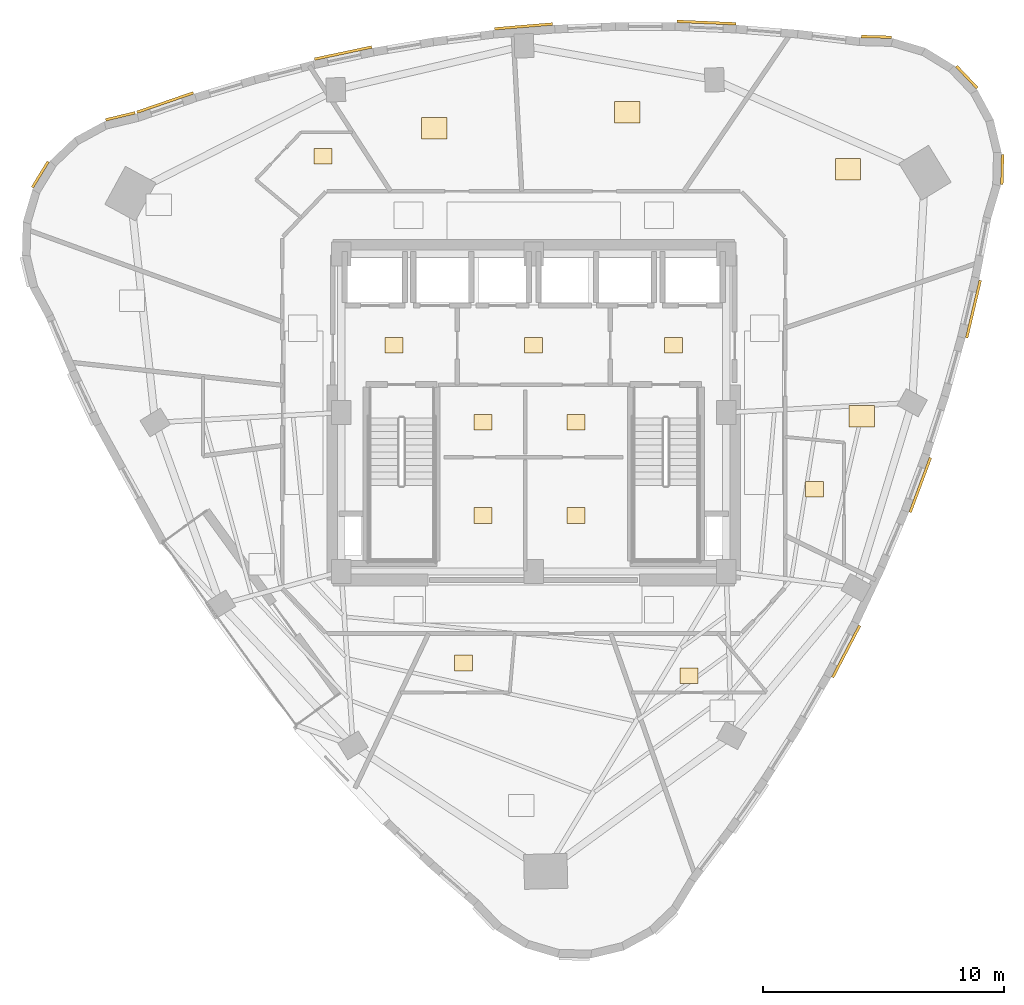
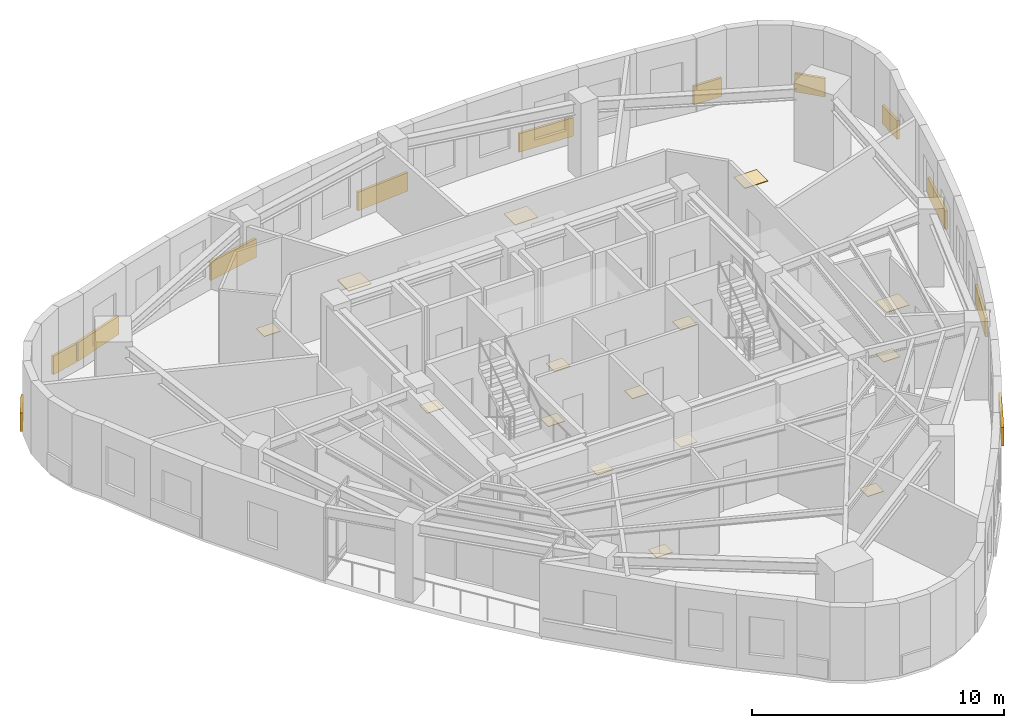
# One storey, part 12 of 12: 27 coverings.
"""IFC4 building model written with IfcOpenShell, lengths in metres."""

from ifc_helpers import new_model, si_unit, direction, frame, origin, origin_2d, place, context, subcontext, project, spatial, rectangle, extrude, material, layer, layer_set, type_object, element, save


model = new_model("IFC4")

# Units and contexts
model_context = context("Model", 3, precision=1e-05, world=origin(), true_north=direction((0.0, 1.0)))
body_context = subcontext(model_context, "Body", "Model", "MODEL_VIEW")
ifc_project = project(units=[si_unit("LENGTHUNIT", "METRE"), si_unit("AREAUNIT", "SQUARE_METRE"), si_unit("VOLUMEUNIT", "CUBIC_METRE"), si_unit("PLANEANGLEUNIT", "RADIAN"), si_unit("MASSUNIT", "GRAM", prefix="KILO")], contexts=[model_context])

# Site, building, storey
site_placement = place(None, origin())
site = spatial("IfcSite", under=ifc_project, at=site_placement, CompositionType="ELEMENT")
building_placement = place(site_placement, origin())
building = spatial("IfcBuilding", under=site, at=building_placement, Name="Ndelora Gate Hotel", CompositionType="ELEMENT")
storey_placement = place(building_placement, frame((0.0, 0.0, 232.14990234375)))
storey = spatial("IfcBuildingStorey", under=building, at=storey_placement, Name="L58", CompositionType="ELEMENT", Elevation=232.14990234375)

# Coverings
ifc_material_1 = material(Name="Terracotta Fired Clay Brick Slip Cladding", Category="masonry")
ifc_layer_1 = layer(ifc_material_1, 0.110107421875)
ifc_layer_set_1 = layer_set([ifc_layer_1], Name="Terracotta Fired Clay Brick Slip Cladding")
covering_type_1 = type_object("IfcCoveringType", Name="COV-CLAD-BRK", PredefinedType="CLADDING", material=ifc_layer_set_1)
for number, where, z_axis, x_axis, name in (
    (1, (-17.176025390625, 12.314208984375, 0.10009765625), (0.0, 0.0, 1.0), (0.972369920398, 0.233445363856, 0.0), "L58 Rounded-Corner Brick Cladding Band 1"),
    (2, (-20.503662109375, 9.896728515625, 0.10009765625), (0.0, 0.0, 1.0), (0.522498564716, 0.852640164354, 0.0), "L58 Rounded-Corner Brick Cladding Band 4"),
):
    element("IfcCovering", number, at=place(storey_placement, frame(where, z_axis=z_axis, x_axis=x_axis)), inside=storey, type_object=covering_type_1, Name=name, PredefinedType="CLADDING", context=body_context, shape_type="SweptSolid", body=[
        extrude(rectangle(XDim=1.257080078125, YDim=0.110107421875, at=origin_2d()), origin(), (0.0, 0.0, 1.0), 0.89990234375),
    ])
covering_1_placement = place(storey_placement, frame((12.9853515625, -9.9267578125, 0.10009765625), z_axis=(0.0, 0.0, 1.0), x_axis=(0.46329603512, 0.886203579231, 0.0)))
element("IfcCovering", 3, at=covering_1_placement, inside=storey, type_object=covering_type_1, Name="L58 Rounded-Corner Brick Cladding Band 31", PredefinedType="CLADDING", context=body_context, shape_type="SweptSolid", body=[
    extrude(rectangle(XDim=2.4208984375, YDim=0.110107421875, at=origin_2d()), origin(), (0.0, 0.0, 1.0), 0.89990234375),
])
covering_2_placement = place(storey_placement, frame((16.06591796875, -3.007568359375, 0.10009765625), z_axis=(0.0, 0.0, 1.0), x_axis=(0.348572047322, 0.937281989492, 0.0)))
element("IfcCovering", 4, at=covering_2_placement, inside=storey, type_object=covering_type_1, Name="L58 Rounded-Corner Brick Cladding Band 34", PredefinedType="CLADDING", context=body_context, shape_type="SweptSolid", body=[
    extrude(rectangle(XDim=2.419921875, YDim=0.110107421875, at=origin_2d()), origin(), (0.0, 0.0, 1.0), 0.89990234375),
])
covering_3_placement = place(storey_placement, frame((18.275390625, 4.298828125, 0.10009765625), z_axis=(0.0, 0.0, 1.0), x_axis=(0.230219585439, 0.973138706701, 0.0)))
element("IfcCovering", 5, at=covering_3_placement, inside=storey, type_object=covering_type_1, Name="L58 Rounded-Corner Brick Cladding Band 37", PredefinedType="CLADDING", context=body_context, shape_type="SweptSolid", body=[
    extrude(rectangle(XDim=2.4599609375, YDim=0.110107421875, at=origin_2d()), origin(), (0.0, 0.0, 1.0), 0.89990234375),
])
for number, where, z_axis, x_axis, name in (
    (6, (19.471923828125, 10.103515625, 0.10009765625), (0.0, 0.0, 1.0), (0.026176948308, 0.999657324976, 0.0), "L58 Rounded-Corner Brick Cladding Band 40"),
    (7, (17.997802734375, 13.943359375, 0.10009765625), (0.0, 0.0, 1.0), (-0.688354575694, 0.725374371012, 0.0), "L58 Rounded-Corner Brick Cladding Band 43"),
    (8, (14.240478515625, 15.6162109375, 0.10009765625), (0.0, 0.0, 1.0), (-0.999657324976, 0.026176948308, 0.0), "L58 Rounded-Corner Brick Cladding Band 46"),
):
    element("IfcCovering", number, at=place(storey_placement, frame(where, z_axis=z_axis, x_axis=x_axis)), inside=storey, type_object=covering_type_1, Name=name, PredefinedType="CLADDING", context=body_context, shape_type="SweptSolid", body=[
        extrude(rectangle(XDim=1.257080078125, YDim=0.110107421875, at=origin_2d()), origin(), (0.0, 0.0, 1.0), 0.89990234375),
    ])
covering_4_placement = place(storey_placement, frame((7.18115234375, 16.2099609375, 0.10009765625), z_axis=(0.0, 0.0, 1.0), x_axis=(-0.999151821338, 0.04117812426, 0.0)))
element("IfcCovering", 9, at=covering_4_placement, inside=storey, type_object=covering_type_1, Name="L58 Rounded-Corner Brick Cladding Band 49", PredefinedType="CLADDING", context=body_context, shape_type="SweptSolid", body=[
    extrude(rectangle(XDim=2.443115234375, YDim=0.110107421875, at=origin_2d()), origin(), (0.0, 0.0, 1.0), 0.89990234375),
])
covering_5_placement = place(storey_placement, frame((-0.417724609375, 16.050537109375, 0.10009765625), z_axis=(0.0, 0.0, 1.0), x_axis=(0.99649285925, 0.083677843332, 0.0)))
element("IfcCovering", 10, at=covering_5_placement, inside=storey, type_object=covering_type_1, Name="L58 Rounded-Corner Brick Cladding Band 52", PredefinedType="CLADDING", context=body_context, shape_type="SweptSolid", body=[
    extrude(rectangle(XDim=2.416015625, YDim=0.110107421875, at=origin_2d()), origin(), (0.0, 0.0, 1.0), 0.89990234375),
])
covering_6_placement = place(storey_placement, frame((-7.9169921875, 14.942626953125, 0.10009765625), z_axis=(0.0, 0.0, 1.0), x_axis=(0.978183873271, 0.20774096869, 0.0)))
element("IfcCovering", 11, at=covering_6_placement, inside=storey, type_object=covering_type_1, Name="L58 Rounded-Corner Brick Cladding Band 55", PredefinedType="CLADDING", context=body_context, shape_type="SweptSolid", body=[
    extrude(rectangle(XDim=2.428955078125, YDim=0.110107421875, at=origin_2d()), origin(), (0.0, 0.0, 1.0), 0.89990234375),
])
covering_7_placement = place(storey_placement, frame((-15.315673828125, 12.886962890625, 0.10009765625), z_axis=(0.0, 0.0, 1.0), x_axis=(0.945518575599, 0.325568154457, 0.0)))
element("IfcCovering", 12, at=covering_7_placement, inside=storey, type_object=covering_type_1, Name="L58 Rounded-Corner Brick Cladding Band 58", PredefinedType="CLADDING", context=body_context, shape_type="SweptSolid", body=[
    extrude(rectangle(XDim=2.48193359375, YDim=0.110107421875, at=origin_2d()), origin(), (0.0, 0.0, 1.0), 0.89990234375),
])
ifc_material_2 = material(Name="Engineered Highland Oak Parquet", Category="wood")
ifc_layer_2 = layer(ifc_material_2, 0.030029296875)
ifc_layer_set_2 = layer_set([ifc_layer_2], Name="Engineered Highland Oak Parquet")
covering_type_2 = type_object("IfcCoveringType", Name="COV-FLR-PARQ", PredefinedType="FLOORING", material=ifc_layer_set_2)
for number, where, z_axis, x_axis, name in (
    (13, (13.634033203125, -0.152099609375, 0.0), (0.0, 0.0, 1.0), (1.0, 0.0, 0.0), "L58 Grand Highland Diplomatic Suite 6103 Oak Parquet Flooring"),
    (14, (13.058349609375, 10.110107421875, 0.0), (0.0, 0.0, 1.0), (1.0, 0.0, 0.0), "L58 Highland Reading Library Oak Parquet Flooring"),
    (15, (3.888671875, 12.480712890625, 0.0), (0.0, 0.0, 1.0), (1.0, 0.0, 0.0), "L58 Altitude Fitness Gym Oak Parquet Flooring"),
    (16, (-4.13720703125, 11.8134765625, 0.0), (0.0, 0.0, 1.0), (1.0, 0.0, 0.0), "L58 Chef Service Kitchen Oak Parquet Flooring"),
):
    element("IfcCovering", number, at=place(storey_placement, frame(where, z_axis=z_axis, x_axis=x_axis)), inside=storey, type_object=covering_type_2, Name=name, PredefinedType="FLOORING", context=body_context, shape_type="SweptSolid", body=[
        extrude(rectangle(XDim=1.050048828125, YDim=0.89990234375, at=origin_2d()), origin(), (0.0, 0.0, 1.0), 0.030029296875),
    ])
ifc_material_3 = material(Name="Non-Slip Porcelain Wet-Room Tile", Category="ceramic")
ifc_layer_3 = layer(ifc_material_3, 0.02490234375)
ifc_layer_set_3 = layer_set([ifc_layer_3], Name="Non-Slip Porcelain Wet-Room Tile")
covering_type_3 = type_object("IfcCoveringType", Name="COV-FLR-TILE", PredefinedType="FLOORING", material=ifc_layer_set_3)
for number, where, z_axis, x_axis, name in (
    (17, (-5.800048828125, 2.800048828125, 0.000244140625), (0.0, 0.0, 1.0), (1.0, 0.0, 0.0), "L58 Firefighting Lift Lobby West Porcelain Tile Flooring"),
    (18, (5.800048828125, 2.800048828125, 0.000244140625), (0.0, 0.0, 1.0), (1.0, 0.0, 0.0), "L58 Firefighting Lift Lobby East Porcelain Tile Flooring"),
    (19, (0.0, 2.800048828125, 0.000244140625), (0.0, 0.0, 1.0), (1.0, 0.0, 0.0), "L58 Central Passenger Lift Lobby Porcelain Tile Flooring"),
    (20, (-2.10009765625, -0.39990234375, 0.000244140625), (0.0, 0.0, 1.0), (1.0, 0.0, 0.0), "L58 Core Electrical Closet Porcelain Tile Flooring"),
    (21, (1.75, -0.39990234375, 0.000244140625), (0.0, 0.0, 1.0), (1.0, 0.0, 0.0), "L58 Comms Patching Store Porcelain Tile Flooring"),
    (22, (-2.10009765625, -4.27490234375, 0.000244140625), (0.0, 0.0, 1.0), (1.0, 0.0, 0.0), "L58 Valet Laundry Store Porcelain Tile Flooring"),
    (23, (1.75, -4.27490234375, 0.000244140625), (0.0, 0.0, 1.0), (1.0, 0.0, 0.0), "L58 Housekeeping Reserve Store Porcelain Tile Flooring"),
    (24, (-2.918701171875, -10.405029296875, 0.000244140625), (0.0, 0.0, 1.0), (1.0, 0.0, 0.0), "L58 En-suite Bathroom 6101 Porcelain Tile Flooring"),
    (25, (6.458251953125, -10.934326171875, 0.000244140625), (0.0, 0.0, 1.0), (1.0, 0.0, 0.0), "L58 En-suite Bathroom 6102 Porcelain Tile Flooring"),
    (26, (11.675048828125, -3.184326171875, 0.000244140625), (0.0, 0.0, 1.0), (1.0, 0.0, 0.0), "L58 En-suite Bathroom 6103 Porcelain Tile Flooring"),
    (27, (-8.75244140625, 10.646484375, 0.000244140625), (0.0, 0.0, 1.0), (1.0, 0.0, 0.0), "L58 En-suite Bathroom 6104 Porcelain Tile Flooring"),
):
    element("IfcCovering", number, at=place(storey_placement, frame(where, z_axis=z_axis, x_axis=x_axis)), inside=storey, type_object=covering_type_3, Name=name, PredefinedType="FLOORING", context=body_context, shape_type="SweptSolid", body=[
        extrude(rectangle(XDim=0.75, YDim=0.64990234375, at=origin_2d()), origin(), (0.0, 0.0, 1.0), 0.02490234375),
    ])

save(model, "model.ifc")
